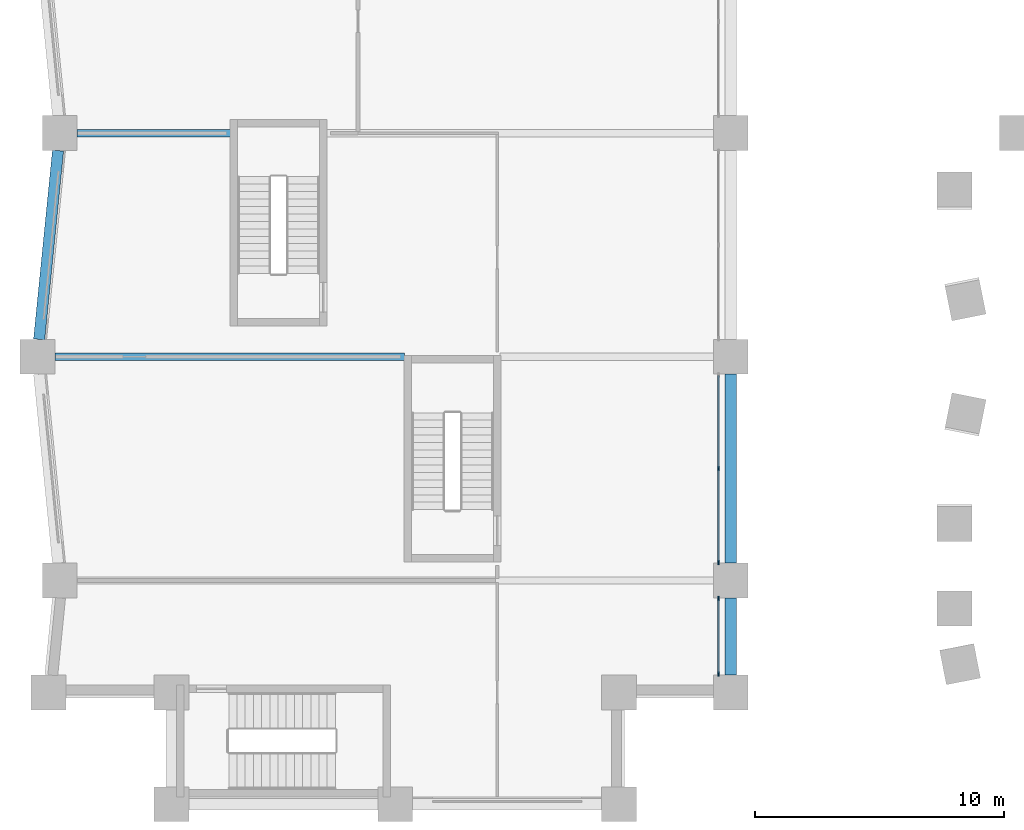
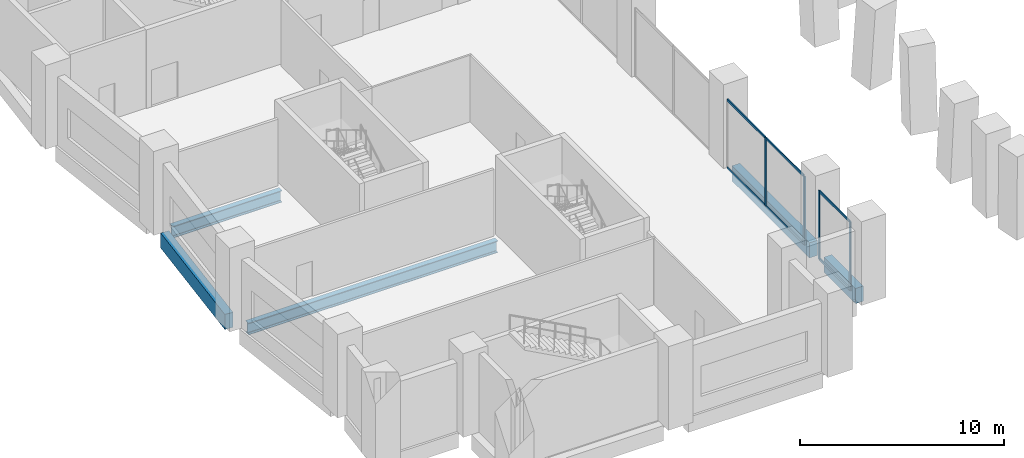
# One storey, part 2 of 17: 10 members, 5 beams, 2 elements without a shape of their own.
"""IFC4 building model written with IfcOpenShell, lengths in metres."""

from ifc_helpers import new_model, si_unit, direction, frame, origin, origin_2d, place, context, subcontext, project, spatial, rectangle, i_section, extrude, material, material_profile, profile_set, type_object, element, aggregate, save


model = new_model("IFC4")

# Units and contexts
model_context = context("Model", 3, precision=1e-05, world=origin(), true_north=direction((0.0, 1.0)))
body_context = subcontext(model_context, "Body", "Model", "MODEL_VIEW")
ifc_project = project(units=[si_unit("LENGTHUNIT", "METRE"), si_unit("AREAUNIT", "SQUARE_METRE"), si_unit("VOLUMEUNIT", "CUBIC_METRE"), si_unit("PLANEANGLEUNIT", "RADIAN"), si_unit("MASSUNIT", "GRAM", prefix="KILO")], contexts=[model_context])

# Site, building, storey
site_placement = place(None, origin())
site = spatial("IfcSite", under=ifc_project, at=site_placement, CompositionType="ELEMENT")
building_placement = place(site_placement, origin())
building = spatial("IfcBuilding", under=site, at=building_placement, Name="Brondeck Convention Tower", CompositionType="ELEMENT")
storey_placement = place(building_placement, frame((0.0, 0.0, 14.5)))
storey = spatial("IfcBuildingStorey", under=building, at=storey_placement, Name="L02", CompositionType="ELEMENT", Elevation=14.5)

# Curtain wall, members
ifc_material_1 = material(Name="Aluminium, bronze anodised", Category="aluminium")
curtain_wall_type = type_object("IfcCurtainWallType", Name="Podium hall curtain wall", PredefinedType="NOTDEFINED", material=ifc_material_1)
curtain_wall_1_placement = place(storey_placement, origin())
curtain_wall_1 = element("IfcCurtainWall", 1, at=curtain_wall_1_placement, inside=storey, type_object=curtain_wall_type, Name="ENV-CW2-L02-B-E-06", PredefinedType="NOTDEFINED")
ifc_material_profile_1 = material_profile(ifc_material_1, rectangle(XDim=0.06005859375, YDim=0.179931640625, at=origin_2d()), Name="CW2 mullion")
ifc_profile_set_1 = profile_set([ifc_material_profile_1], Name="Aluminium, bronze anodised")
member_type_1 = type_object("IfcMemberType", Name="CW2 mullion", PredefinedType="MULLION", material=ifc_profile_set_1)
member_1_placement = place(storey_placement, frame((26.5, 8.27001953125, 0.0), z_axis=(0.0, 0.0, 1.0), x_axis=(1.0, 0.0, 0.0)))
member_1 = element("IfcMember", 2, at=member_1_placement, type_object=member_type_1, Name="CW2 mullion 1", PredefinedType="MULLION", context=body_context, shape_type="SweptSolid", body=[
    extrude(rectangle(XDim=0.06005859375, YDim=0.179931640625, at=origin_2d()), origin(), (0.0, 0.0, 1.0), 4.10009765625),
])
member_2_placement = place(storey_placement, frame((26.5, 5.22998046875, 0.0), z_axis=(0.0, 0.0, 1.0), x_axis=(1.0, 0.0, 0.0)))
member_2 = element("IfcMember", 3, at=member_2_placement, type_object=member_type_1, Name="CW2 mullion 2", PredefinedType="MULLION", context=body_context, shape_type="SweptSolid", body=[
    extrude(rectangle(XDim=0.06005859375, YDim=0.179931640625, at=origin_2d()), origin(), (0.0, 0.0, 1.0), 4.10009765625),
])

curtain_wall_2_placement = place(storey_placement, origin())
curtain_wall_2 = element("IfcCurtainWall", 4, at=curtain_wall_2_placement, inside=storey, type_object=curtain_wall_type, Name="ENV-CW2-L02-B-E-05", PredefinedType="NOTDEFINED")
member_3_placement = place(storey_placement, frame((26.5, 13.5, 0.0), z_axis=(0.0, 0.0, 1.0), x_axis=(1.0, 0.0, 0.0)))
member_3 = element("IfcMember", 5, at=member_3_placement, type_object=member_type_1, Name="CW2 mullion 2", PredefinedType="MULLION", context=body_context, shape_type="SweptSolid", body=[
    extrude(rectangle(XDim=0.06005859375, YDim=0.179931640625, at=origin_2d()), origin(), (0.0, 0.0, 1.0), 4.10009765625),
])
member_4_placement = place(storey_placement, frame((26.5, 9.72998046875, 0.0), z_axis=(0.0, 0.0, 1.0), x_axis=(1.0, 0.0, 0.0)))
member_4 = element("IfcMember", 6, at=member_4_placement, type_object=member_type_1, Name="CW2 mullion 3", PredefinedType="MULLION", context=body_context, shape_type="SweptSolid", body=[
    extrude(rectangle(XDim=0.06005859375, YDim=0.179931640625, at=origin_2d()), origin(), (0.0, 0.0, 1.0), 4.10009765625),
])

# Member
ifc_material_profile_2 = material_profile(ifc_material_1, rectangle(XDim=0.06005859375, YDim=0.139892578125, at=origin_2d()), Name="CW2 transom")
ifc_profile_set_2 = profile_set([ifc_material_profile_2], Name="Aluminium, bronze anodised")
member_type_2 = type_object("IfcMemberType", Name="CW2 transom", PredefinedType="USERDEFINED", material=ifc_profile_set_2)
member_5_placement = place(storey_placement, frame((26.5, 8.239990234375, 0.030029296875), z_axis=(0.0, -1.0, 0.0), x_axis=(1.0, 0.0, 0.0)))
member_5 = element("IfcMember", 7, at=member_5_placement, type_object=member_type_2, Name="CW2 transom 1.1", ObjectType="TRANSOM", PredefinedType="USERDEFINED", context=body_context, shape_type="SweptSolid", body=[
    extrude(rectangle(XDim=0.06005859375, YDim=0.139892578125, at=origin_2d()), origin(), (0.0, 0.0, 1.0), 2.97998046875),
])

member_6_placement = place(storey_placement, frame((26.5, 8.239990234375, 4.070068359375), z_axis=(0.0, -1.0, 0.0), x_axis=(1.0, 0.0, 0.0)))
member_6 = element("IfcMember", 8, at=member_6_placement, type_object=member_type_2, Name="CW2 transom 1.2", ObjectType="TRANSOM", PredefinedType="USERDEFINED", context=body_context, shape_type="SweptSolid", body=[
    extrude(rectangle(XDim=0.06005859375, YDim=0.139892578125, at=origin_2d()), origin(), (0.0, 0.0, 1.0), 2.97998046875),
])

aggregate(curtain_wall_1, [member_1, member_2, member_5, member_6])

member_7_placement = place(storey_placement, frame((26.5, 17.239990234375, 0.030029296875), z_axis=(0.0, -1.0, 0.0), x_axis=(1.0, 0.0, 0.0)))
member_7 = element("IfcMember", 9, at=member_7_placement, type_object=member_type_2, Name="CW2 transom 1.1", ObjectType="TRANSOM", PredefinedType="USERDEFINED", context=body_context, shape_type="SweptSolid", body=[
    extrude(rectangle(XDim=0.06005859375, YDim=0.139892578125, at=origin_2d()), origin(), (0.0, 0.0, 1.0), 3.7099609375),
])

member_8_placement = place(storey_placement, frame((26.5, 17.239990234375, 4.070068359375), z_axis=(0.0, -1.0, 0.0), x_axis=(1.0, 0.0, 0.0)))
member_8 = element("IfcMember", 10, at=member_8_placement, type_object=member_type_2, Name="CW2 transom 1.2", ObjectType="TRANSOM", PredefinedType="USERDEFINED", context=body_context, shape_type="SweptSolid", body=[
    extrude(rectangle(XDim=0.06005859375, YDim=0.139892578125, at=origin_2d()), origin(), (0.0, 0.0, 1.0), 3.7099609375),
])

member_9_placement = place(storey_placement, frame((26.5, 13.469970703125, 0.030029296875), z_axis=(0.0, -1.0, 0.0), x_axis=(1.0, 0.0, 0.0)))
member_9 = element("IfcMember", 11, at=member_9_placement, type_object=member_type_2, Name="CW2 transom 2.1", ObjectType="TRANSOM", PredefinedType="USERDEFINED", context=body_context, shape_type="SweptSolid", body=[
    extrude(rectangle(XDim=0.06005859375, YDim=0.139892578125, at=origin_2d()), origin(), (0.0, 0.0, 1.0), 3.7099609375),
])

member_10_placement = place(storey_placement, frame((26.5, 13.469970703125, 4.070068359375), z_axis=(0.0, -1.0, 0.0), x_axis=(1.0, 0.0, 0.0)))
member_10 = element("IfcMember", 12, at=member_10_placement, type_object=member_type_2, Name="CW2 transom 2.2", ObjectType="TRANSOM", PredefinedType="USERDEFINED", context=body_context, shape_type="SweptSolid", body=[
    extrude(rectangle(XDim=0.06005859375, YDim=0.139892578125, at=origin_2d()), origin(), (0.0, 0.0, 1.0), 3.7099609375),
])

aggregate(curtain_wall_2, [member_3, member_4, member_7, member_8, member_9, member_10])

# Beams
ifc_material_2 = material(Name="Concrete C80/95", Category="concrete")
ifc_material_profile_3 = material_profile(ifc_material_2, rectangle(XDim=0.449951171875, YDim=0.89990234375, at=origin_2d()), Name="Edge beam 450x900 Concrete C80/95")
ifc_profile_set_3 = profile_set([ifc_material_profile_3], Name="Concrete C80/95")
beam_type_1 = type_object("IfcBeamType", Name="Edge beam 450x900 Concrete C80/95", PredefinedType="BEAM", material=ifc_profile_set_3)
beam_1_placement = place(storey_placement, frame((27.0, 5.199951171875, -0.449951171875), z_axis=(0.0, 1.0, 0.0), x_axis=(-1.0, 0.0, 0.0)))
element("IfcBeam", 13, at=beam_1_placement, inside=storey, type_object=beam_type_1, Name="STR-SP-L02-005", PredefinedType="BEAM", context=body_context, shape_type="SweptSolid", body=[
    extrude(rectangle(XDim=0.449951171875, YDim=0.89990234375, at=origin_2d()), origin(), (0.0, 0.0, 1.0), 3.10009765625),
])
beam_2_placement = place(storey_placement, frame((27.0, 9.699951171875, -0.449951171875), z_axis=(0.0, 1.0, 0.0), x_axis=(-1.0, 0.0, 0.0)))
element("IfcBeam", 14, at=beam_2_placement, inside=storey, type_object=beam_type_1, Name="STR-SP-L02-006", PredefinedType="BEAM", context=body_context, shape_type="SweptSolid", body=[
    extrude(rectangle(XDim=0.449951171875, YDim=0.89990234375, at=origin_2d()), origin(), (0.0, 0.0, 1.0), 7.60009765625),
])
beam_3_placement = place(storey_placement, frame((-0.070068359375, 26.300048828125, -0.449951171875), z_axis=(-0.099503719021, -0.99503719021, 0.0), x_axis=(0.99503719021, -0.099503719021, 0.0)))
element("IfcBeam", 15, at=beam_3_placement, inside=storey, type_object=beam_type_1, Name="STR-SP-L02-034", PredefinedType="BEAM", context=body_context, shape_type="SweptSolid", body=[
    extrude(rectangle(XDim=0.449951171875, YDim=0.89990234375, at=origin_2d()), origin(), (0.0, 0.0, 1.0), 7.637939453125),
])
ifc_material_3 = material(Name="Steel S355", Category="steel")
ifc_material_profile_4 = material_profile(ifc_material_3, i_section(OverallWidth=0.300048828125, OverallDepth=0.699951171875, WebThickness=0.01708984375, FlangeThickness=0.031982421875, FilletRadius=0.027099609375, at=origin_2d()), Name="HEB 700")
ifc_profile_set_4 = profile_set([ifc_material_profile_4], Name="Steel S355")
beam_type_2 = type_object("IfcBeamType", Name="Girder HEB 700", PredefinedType="BEAM", material=ifc_profile_set_4)
beam_4_placement = place(storey_placement, frame((-0.199951171875, 18.0, -0.64990234375), z_axis=(1.0, 0.0, 0.0), x_axis=(0.0, 1.0, 0.0)))
element("IfcBeam", 16, at=beam_4_placement, inside=storey, type_object=beam_type_2, Name="STR-GR-L02-008", PredefinedType="BEAM", context=body_context, shape_type="SweptSolid", body=[
    extrude(i_section(OverallWidth=0.300048828125, OverallDepth=0.699951171875, WebThickness=0.01708984375, FlangeThickness=0.031982421875, FilletRadius=0.027099609375, at=origin_2d()), origin(), (0.0, 0.0, 1.0), 14.079833984375),
])
beam_5_placement = place(storey_placement, frame((0.699951171875, 27.0, -0.64990234375), z_axis=(1.0, 0.0, 0.0), x_axis=(0.0, 1.0, 0.0)))
element("IfcBeam", 17, at=beam_5_placement, inside=storey, type_object=beam_type_2, Name="STR-GR-L02-010", PredefinedType="BEAM", context=body_context, shape_type="SweptSolid", body=[
    extrude(i_section(OverallWidth=0.300048828125, OverallDepth=0.699951171875, WebThickness=0.01708984375, FlangeThickness=0.031982421875, FilletRadius=0.027099609375, at=origin_2d()), origin(), (0.0, 0.0, 1.0), 6.179931640625),
])

save(model, "model.ifc")
